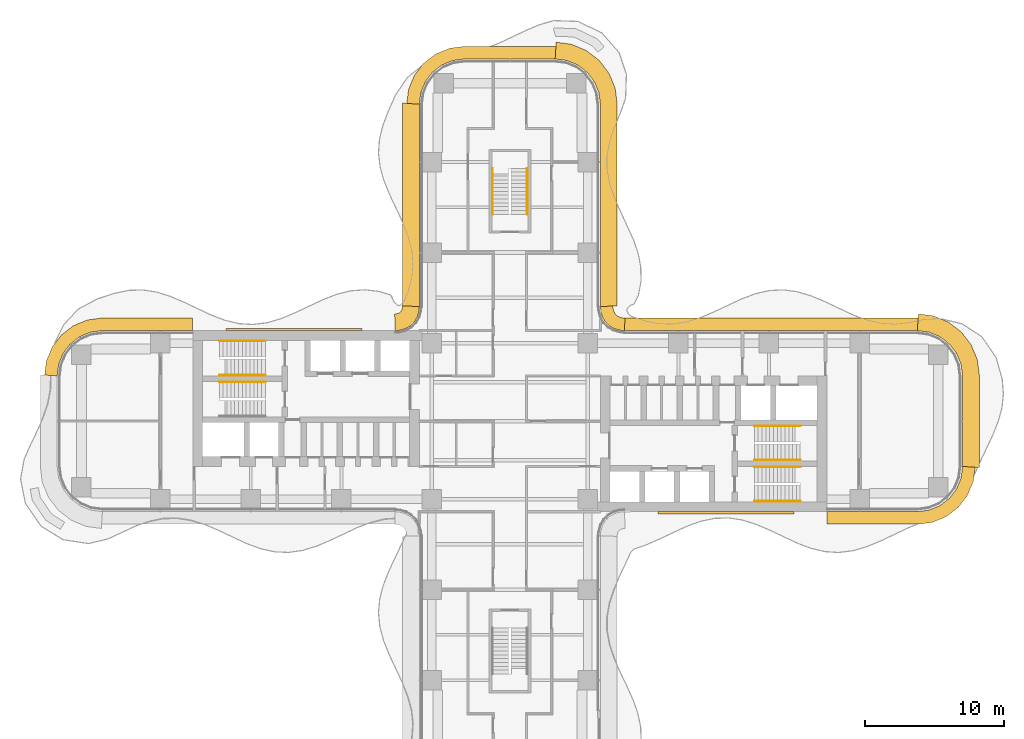
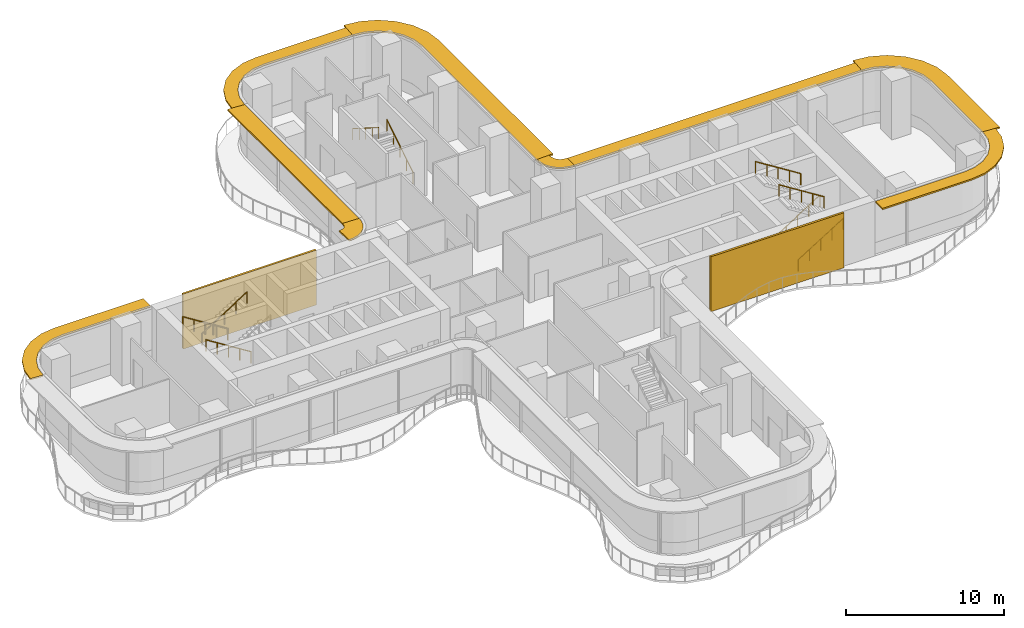
# One storey, part 23 of 23: 9 railings, 9 shading devices, 2 coverings.
"""IFC4 building model written with IfcOpenShell, lengths in metres."""

from ifc_helpers import new_model, si_unit, direction, frame, origin, origin_2d, place, context, subcontext, project, spatial, polyline, circle, outline, extrude, source, transform, mapped, material, layer, layer_set, type_object, element, save


model = new_model("IFC4")

# Units and contexts
model_context = context("Model", 3, precision=1e-05, world=origin(), true_north=direction((0.0, 1.0)))
body_context = subcontext(model_context, "Body", "Model", "MODEL_VIEW")
ifc_project = project(units=[si_unit("LENGTHUNIT", "METRE"), si_unit("AREAUNIT", "SQUARE_METRE"), si_unit("VOLUMEUNIT", "CUBIC_METRE"), si_unit("PLANEANGLEUNIT", "RADIAN"), si_unit("MASSUNIT", "GRAM", prefix="KILO")], contexts=[model_context])

# Site, building, storey
site_placement = place(None, origin())
site = spatial("IfcSite", under=ifc_project, at=site_placement, CompositionType="ELEMENT")
building_placement = place(site_placement, origin())
building = spatial("IfcBuilding", under=site, at=building_placement, Name="Trellis Farm Tower", CompositionType="ELEMENT")
storey_placement = place(building_placement, frame((0.0, 0.0, 74.5)))
storey = spatial("IfcBuildingStorey", under=building, at=storey_placement, Name="L15", CompositionType="ELEMENT", Elevation=74.5)

# Railings
ifc_material_1 = material(Name="Stainless steel", Category="steel")
railing_type = type_object("IfcRailingType", Name="STAIR HANDRAIL 900", PredefinedType="HANDRAIL", material=ifc_material_1)
shared_shape_1 = source(origin(), body_context, "Body", "SweptSolid", [
    extrude(circle(Radius=0.02392578125, at=origin_2d()), frame((0.0, 0.0, 0.8759765625), z_axis=(0.0, 0.846319618018, 0.532675421018), x_axis=(-1.0, 0.0, 0.0)), (0.0, 0.0, 1.0), 3.89892578125),
    extrude(circle(Radius=0.02099609375, at=origin_2d()), origin(), (0.0, 0.0, 1.0), 0.851806640625),
    extrude(circle(Radius=0.02099609375, at=origin_2d()), frame((0.0, 0.824951171875, 0.519287109375)), (0.0, 0.0, 1.0), 0.851806640625),
    extrude(circle(Radius=0.02099609375, at=origin_2d()), frame((0.0, 1.64990234375, 1.03857421875)), (0.0, 0.0, 1.0), 0.851806640625),
    extrude(circle(Radius=0.02099609375, at=origin_2d()), frame((0.0, 2.474853515625, 1.5576171875)), (0.0, 0.0, 1.0), 0.851806640625),
    extrude(circle(Radius=0.02099609375, at=origin_2d()), frame((0.0, 3.2998046875, 2.076904296875)), (0.0, 0.0, 1.0), 0.851806640625),
])
railing_1_placement = place(storey_placement, frame((1.25, 14.85009765625, 0.173095703125)))
element("IfcRailing", 1, at=railing_1_placement, inside=storey, type_object=railing_type, Name="Stair handrail", PredefinedType="HANDRAIL", context=body_context, shape_type="MappedRepresentation", body=[
    mapped(shared_shape_1, transform((0.0, 0.0, 0.0))),
])
shared_shape_2 = source(origin(), body_context, "Body", "SweptSolid", [
    extrude(circle(Radius=0.02392578125, at=origin_2d()), frame((0.0, 0.0, 0.8759765625), z_axis=(0.0, -0.846319618018, 0.532675421018), x_axis=(1.0, 0.0, 0.0)), (0.0, 0.0, 1.0), 3.89892578125),
    extrude(circle(Radius=0.02099609375, at=origin_2d()), origin(), (0.0, 0.0, 1.0), 0.851806640625),
    extrude(circle(Radius=0.02099609375, at=origin_2d()), frame((0.0, -0.824951171875, 0.519287109375)), (0.0, 0.0, 1.0), 0.851806640625),
    extrude(circle(Radius=0.02099609375, at=origin_2d()), frame((0.0, -1.64990234375, 1.03857421875)), (0.0, 0.0, 1.0), 0.851806640625),
    extrude(circle(Radius=0.02099609375, at=origin_2d()), frame((0.0, -2.474853515625, 1.5576171875)), (0.0, 0.0, 1.0), 0.851806640625),
    extrude(circle(Radius=0.02099609375, at=origin_2d()), frame((0.0, -3.2998046875, 2.076904296875)), (0.0, 0.0, 1.0), 0.851806640625),
])
railing_2_placement = place(storey_placement, frame((-1.25, 18.14990234375, 2.423095703125)))
element("IfcRailing", 2, at=railing_2_placement, inside=storey, type_object=railing_type, Name="Stair handrail", PredefinedType="HANDRAIL", context=body_context, shape_type="MappedRepresentation", body=[
    mapped(shared_shape_2, transform((0.0, 0.0, 0.0))),
])
shared_shape_3 = source(origin(), body_context, "Body", "SweptSolid", [
    extrude(circle(Radius=0.02392578125, at=origin_2d()), frame((0.0, 0.0, 0.8759765625), z_axis=(0.846337383501, 0.0, 0.532647194011), x_axis=(0.0, 1.0, 0.0)), (0.0, 0.0, 1.0), 3.899169921875),
    extrude(circle(Radius=0.02099609375, at=origin_2d()), origin(), (0.0, 0.0, 1.0), 0.851806640625),
    extrude(circle(Radius=0.02099609375, at=origin_2d()), frame((0.824951171875, 0.0, 0.519287109375)), (0.0, 0.0, 1.0), 0.851806640625),
    extrude(circle(Radius=0.02099609375, at=origin_2d()), frame((1.64990234375, 0.0, 1.03857421875)), (0.0, 0.0, 1.0), 0.851806640625),
    extrude(circle(Radius=0.02099609375, at=origin_2d()), frame((2.47509765625, 0.0, 1.5576171875)), (0.0, 0.0, 1.0), 0.851806640625),
    extrude(circle(Radius=0.02099609375, at=origin_2d()), frame((3.300048828125, 0.0, 2.076904296875)), (0.0, 0.0, 1.0), 0.851806640625),
])
for number, where, name in (
    (3, (17.550048828125, -5.75, 0.173095703125), "Stair handrail"),
    (4, (17.550048828125, -2.800048828125, 0.173095703125), "Stair handrail"),
    (5, (-20.85009765625, 3.300048828125, 2.423095703125), "Stair handrail"),
):
    element("IfcRailing", number, at=place(storey_placement, frame(where)), inside=storey, type_object=railing_type, Name=name, PredefinedType="HANDRAIL", context=body_context, shape_type="MappedRepresentation", body=[
        mapped(shared_shape_3, transform((0.0, 0.0, 0.0))),
    ])
shared_shape_4 = source(origin(), body_context, "Body", "SweptSolid", [
    extrude(circle(Radius=0.02392578125, at=origin_2d()), frame((0.0, 0.0, 0.8759765625), z_axis=(-0.846337383501, 0.0, 0.532647194011), x_axis=(0.0, -1.0, 0.0)), (0.0, 0.0, 1.0), 3.899169921875),
    extrude(circle(Radius=0.02099609375, at=origin_2d()), origin(), (0.0, 0.0, 1.0), 0.851806640625),
    extrude(circle(Radius=0.02099609375, at=origin_2d()), frame((-0.824951171875, 0.0, 0.519287109375)), (0.0, 0.0, 1.0), 0.851806640625),
    extrude(circle(Radius=0.02099609375, at=origin_2d()), frame((-1.64990234375, 0.0, 1.03857421875)), (0.0, 0.0, 1.0), 0.851806640625),
    extrude(circle(Radius=0.02099609375, at=origin_2d()), frame((-2.47509765625, 0.0, 1.5576171875)), (0.0, 0.0, 1.0), 0.851806640625),
    extrude(circle(Radius=0.02099609375, at=origin_2d()), frame((-3.300048828125, 0.0, 2.076904296875)), (0.0, 0.0, 1.0), 0.851806640625),
])
for number, where, name in (
    (6, (20.85009765625, -3.300048828125, 2.423095703125), "Stair handrail"),
    (7, (20.85009765625, -0.35009765625, 2.423095703125), "Stair handrail"),
    (8, (-17.550048828125, 5.75, 0.173095703125), "Stair handrail"),
    (9, (-17.550048828125, 2.800048828125, 0.173095703125), "Stair handrail"),
):
    element("IfcRailing", number, at=place(storey_placement, frame(where)), inside=storey, type_object=railing_type, Name=name, PredefinedType="HANDRAIL", context=body_context, shape_type="MappedRepresentation", body=[
        mapped(shared_shape_4, transform((0.0, 0.0, 0.0))),
    ])

# Shading devices
ifc_material_2 = material(Name="Aluminium extrusion 6063-T6", Category="aluminium")
ifc_layer_1 = layer(ifc_material_2, 0.1201171875)
ifc_layer_set_1 = layer_set([ifc_layer_1], Name="SUNSHADE BLADE 900")
shading_device_type_1 = type_object("IfcShadingDeviceType", Name="SUNSHADE BLADE 900", PredefinedType="USERDEFINED", material=ifc_layer_set_1)
shared_shape_5 = source(origin(), body_context, "Body", "SweptSolid", [
    extrude(outline(polyline([(22.780029296875, -7.39990234375), (29.30908203125, -7.39990234375), (30.326171875, -7.26611328125), (31.328857421875, -6.850830078125), (32.18994140625, -6.18994140625), (32.850830078125, -5.328857421875), (33.26611328125, -4.326171875), (33.39990234375, -3.30908203125), (32.5, -3.25), (32.38916015625, -4.091064453125), (32.064697265625, -4.875), (31.548095703125, -5.548095703125), (30.875, -6.064697265625), (30.091064453125, -6.38916015625), (29.25, -6.5), (22.780029296875, -6.5), (22.780029296875, -7.39990234375)])), origin(), (0.0, 0.0, 1.0), 0.119873046875),
])
placement_1 = place(storey_placement, frame((0.0, 0.0, 4.090087890625)))
element("IfcShadingDevice", 10, at=placement_1, inside=storey, type_object=shading_device_type_1, Name="SD1 007", ObjectType="SUNSHADE", PredefinedType="USERDEFINED", context=body_context, shape_type="MappedRepresentation", body=[
    mapped(shared_shape_5, transform((0.0, 0.0, 0.0))),
])
ifc_layer_2 = layer(ifc_material_2, 0.1201171875)
ifc_layer_set_2 = layer_set([ifc_layer_2], Name="SUNSHADE BLADE 1200")
shading_device_type_2 = type_object("IfcShadingDeviceType", Name="SUNSHADE BLADE 1200", PredefinedType="USERDEFINED", material=ifc_layer_set_2)
shared_shape_6 = source(origin(), body_context, "Body", "SweptSolid", [
    extrude(outline(polyline([(33.699951171875, -3.32861328125), (33.699951171875, 3.32861328125), (33.558349609375, 4.404541015625), (33.11279296875, 5.480224609375), (32.404052734375, 6.404052734375), (31.480224609375, 7.11279296875), (30.404541015625, 7.558349609375), (29.32861328125, 7.699951171875), (29.25, 6.5), (30.091064453125, 6.38916015625), (30.875, 6.064697265625), (31.548095703125, 5.548095703125), (32.064697265625, 4.875), (32.38916015625, 4.091064453125), (32.5, 3.25), (32.5, -3.25), (33.699951171875, -3.32861328125)])), origin(), (0.0, 0.0, 1.0), 0.119873046875),
])
element("IfcShadingDevice", 11, at=placement_1, inside=storey, type_object=shading_device_type_2, Name="SD2 008", ObjectType="SUNSHADE", PredefinedType="USERDEFINED", context=body_context, shape_type="MappedRepresentation", body=[
    mapped(shared_shape_6, transform((0.0, 0.0, 0.0))),
])
shared_shape_7 = source(origin(), body_context, "Body", "SweptSolid", [
    extrude(outline(polyline([(29.30908203125, 7.39990234375), (8.2607421875, 7.39990234375), (8.2314453125, 6.5), (29.25, 6.5), (29.30908203125, 7.39990234375)])), origin(), (0.0, 0.0, 1.0), 0.119873046875),
])
element("IfcShadingDevice", 12, at=placement_1, inside=storey, type_object=shading_device_type_1, Name="SD1 009", ObjectType="SUNSHADE", PredefinedType="USERDEFINED", context=body_context, shape_type="MappedRepresentation", body=[
    mapped(shared_shape_7, transform((0.0, 0.0, 0.0))),
])
shared_shape_8 = source(origin(), body_context, "Body", "SweptSolid", [
    extrude(outline(polyline([(8.2607421875, 7.39990234375), (8.107666015625, 7.409912109375), (8.091552734375, 7.412109375), (7.85595703125, 7.475341796875), (7.697021484375, 7.567138671875), (7.567138671875, 7.697021484375), (7.475341796875, 7.85595703125), (7.412109375, 8.091552734375), (7.409912109375, 8.107666015625), (7.39990234375, 8.2607421875), (6.5, 8.2314453125), (6.513916015625, 8.01953125), (6.527587890625, 7.91552734375), (6.63671875, 7.508544921875), (6.846923828125, 7.144287109375), (7.144287109375, 6.846923828125), (7.508544921875, 6.63671875), (7.91552734375, 6.527587890625), (8.01953125, 6.513916015625), (8.2314453125, 6.5), (8.2607421875, 7.39990234375)])), origin(), (0.0, 0.0, 1.0), 0.119873046875),
])
element("IfcShadingDevice", 13, at=placement_1, inside=storey, type_object=shading_device_type_1, Name="SD1 010", ObjectType="SUNSHADE", PredefinedType="USERDEFINED", context=body_context, shape_type="MappedRepresentation", body=[
    mapped(shared_shape_8, transform((0.0, 0.0, 0.0))),
])
shared_shape_9 = source(origin(), body_context, "Body", "SweptSolid", [
    extrude(outline(polyline([(-7.699951171875, 8.270751953125), (-7.708740234375, 8.13720703125), (-7.70703125, 8.150146484375), (-7.7548828125, 7.9716796875), (-7.80712890625, 7.881103515625), (-7.881103515625, 7.80712890625), (-7.9716796875, 7.7548828125), (-8.150146484375, 7.70703125), (-8.13720703125, 7.708740234375), (-8.270751953125, 7.699951171875), (-8.2314453125, 6.5), (-8.01953125, 6.513916015625), (-7.91552734375, 6.527587890625), (-7.508544921875, 6.63671875), (-7.144287109375, 6.846923828125), (-6.846923828125, 7.144287109375), (-6.63671875, 7.508544921875), (-6.527587890625, 7.91552734375), (-6.513916015625, 8.01953125), (-6.5, 8.2314453125), (-7.699951171875, 8.270751953125)])), origin(), (0.0, 0.0, 1.0), 0.119873046875),
])
element("IfcShadingDevice", 14, at=placement_1, inside=storey, type_object=shading_device_type_2, Name="SD2 014", ObjectType="SUNSHADE", PredefinedType="USERDEFINED", context=body_context, shape_type="MappedRepresentation", body=[
    mapped(shared_shape_9, transform((0.0, 0.0, 0.0))),
])
shared_shape_10 = source(origin(), body_context, "Body", "SweptSolid", [
    extrude(outline(polyline([(-22.780029296875, 7.39990234375), (-29.30908203125, 7.39990234375), (-30.326171875, 7.26611328125), (-31.328857421875, 6.850830078125), (-32.18994140625, 6.18994140625), (-32.850830078125, 5.328857421875), (-33.26611328125, 4.326171875), (-33.39990234375, 3.30908203125), (-32.5, 3.25), (-32.38916015625, 4.091064453125), (-32.064697265625, 4.875), (-31.548095703125, 5.548095703125), (-30.875, 6.064697265625), (-30.091064453125, 6.38916015625), (-29.25, 6.5), (-22.780029296875, 6.5), (-22.780029296875, 7.39990234375)])), origin(), (0.0, 0.0, 1.0), 0.119873046875),
])
element("IfcShadingDevice", 15, at=placement_1, inside=storey, type_object=shading_device_type_1, Name="SD1 015", ObjectType="SUNSHADE", PredefinedType="USERDEFINED", context=body_context, shape_type="MappedRepresentation", body=[
    mapped(shared_shape_10, transform((0.0, 0.0, 0.0))),
])

# Coverings
ifc_material_3 = material(Name="Perforated precast screen (cobogo)", Category="concrete")
ifc_layer_3 = layer(ifc_material_3, 0.14990234375)
ifc_layer_set_3 = layer_set([ifc_layer_3], Name="COBOGO SCREEN PANEL")
covering_type = type_object("IfcCoveringType", Name="COBOGO SCREEN PANEL", PredefinedType="USERDEFINED", material=ifc_layer_set_3)
shared_shape_11 = source(origin(), body_context, "Body", "SweptSolid", [
    extrude(outline(polyline([(10.630615234375, -6.64990234375), (20.380615234375, -6.64990234375), (20.380615234375, -6.5), (10.630615234375, -6.5), (10.630615234375, -6.64990234375)])), origin(), (0.0, 0.0, 1.0), 4.25),
])
placement_2 = place(storey_placement, origin())
element("IfcCovering", 16, at=placement_2, inside=storey, type_object=covering_type, Name="SC1 01", ObjectType="SCREEN", PredefinedType="USERDEFINED", context=body_context, shape_type="MappedRepresentation", body=[
    mapped(shared_shape_11, transform((0.0, 0.0, 0.0))),
])
shared_shape_12 = source(origin(), body_context, "Body", "SweptSolid", [
    extrude(outline(polyline([(-10.630615234375, 6.64990234375), (-20.380615234375, 6.64990234375), (-20.380615234375, 6.5), (-10.630615234375, 6.5), (-10.630615234375, 6.64990234375)])), origin(), (0.0, 0.0, 1.0), 4.25),
])
element("IfcCovering", 17, at=placement_2, inside=storey, type_object=covering_type, Name="SC1 02", ObjectType="SCREEN", PredefinedType="USERDEFINED", context=body_context, shape_type="MappedRepresentation", body=[
    mapped(shared_shape_12, transform((0.0, 0.0, 0.0))),
])

# Shading devices
shared_shape_13 = source(origin(), body_context, "Body", "SweptSolid", [
    extrude(outline(polyline([(7.699951171875, 8.270751953125), (7.699951171875, 22.82861328125), (7.558349609375, 23.904541015625), (7.11279296875, 24.980224609375), (6.404052734375, 25.904052734375), (5.480224609375, 26.61279296875), (4.404541015625, 27.058349609375), (3.32861328125, 27.199951171875), (3.25, 26.0), (4.091064453125, 25.88916015625), (4.875, 25.564697265625), (5.548095703125, 25.048095703125), (6.064697265625, 24.375), (6.38916015625, 23.591064453125), (6.5, 22.75), (6.5, 8.2314453125), (7.699951171875, 8.270751953125)])), origin(), (0.0, 0.0, 1.0), 0.119873046875),
])
element("IfcShadingDevice", 18, at=placement_1, inside=storey, type_object=shading_device_type_2, Name="SD2 011", ObjectType="SUNSHADE", PredefinedType="USERDEFINED", context=body_context, shape_type="MappedRepresentation", body=[
    mapped(shared_shape_13, transform((0.0, 0.0, 0.0))),
])
shared_shape_14 = source(origin(), body_context, "Body", "SweptSolid", [
    extrude(outline(polyline([(3.30908203125, 26.89990234375), (-3.30908203125, 26.89990234375), (-4.326171875, 26.76611328125), (-5.328857421875, 26.350830078125), (-6.18994140625, 25.68994140625), (-6.850830078125, 24.828857421875), (-7.26611328125, 23.826171875), (-7.39990234375, 22.80908203125), (-6.5, 22.75), (-6.38916015625, 23.591064453125), (-6.064697265625, 24.375), (-5.548095703125, 25.048095703125), (-4.875, 25.564697265625), (-4.091064453125, 25.88916015625), (-3.25, 26.0), (3.25, 26.0), (3.30908203125, 26.89990234375)])), origin(), (0.0, 0.0, 1.0), 0.119873046875),
])
element("IfcShadingDevice", 19, at=placement_1, inside=storey, type_object=shading_device_type_1, Name="SD1 012", ObjectType="SUNSHADE", PredefinedType="USERDEFINED", context=body_context, shape_type="MappedRepresentation", body=[
    mapped(shared_shape_14, transform((0.0, 0.0, 0.0))),
])
shared_shape_15 = source(origin(), body_context, "Body", "SweptSolid", [
    extrude(outline(polyline([(-7.699951171875, 22.82861328125), (-7.699951171875, 8.270751953125), (-6.5, 8.2314453125), (-6.5, 22.75), (-7.699951171875, 22.82861328125)])), origin(), (0.0, 0.0, 1.0), 0.119873046875),
])
element("IfcShadingDevice", 20, at=placement_1, inside=storey, type_object=shading_device_type_2, Name="SD2 013", ObjectType="SUNSHADE", PredefinedType="USERDEFINED", context=body_context, shape_type="MappedRepresentation", body=[
    mapped(shared_shape_15, transform((0.0, 0.0, 0.0))),
])

save(model, "model.ifc")
